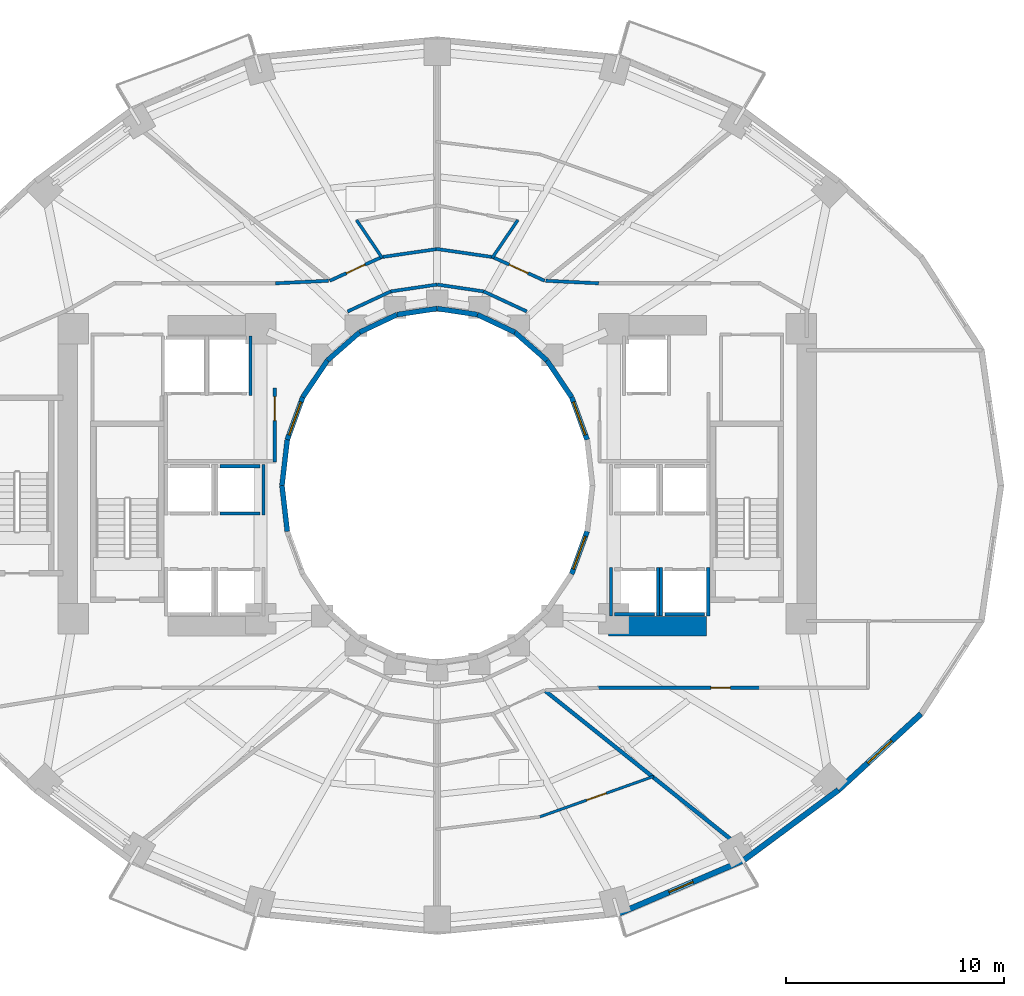
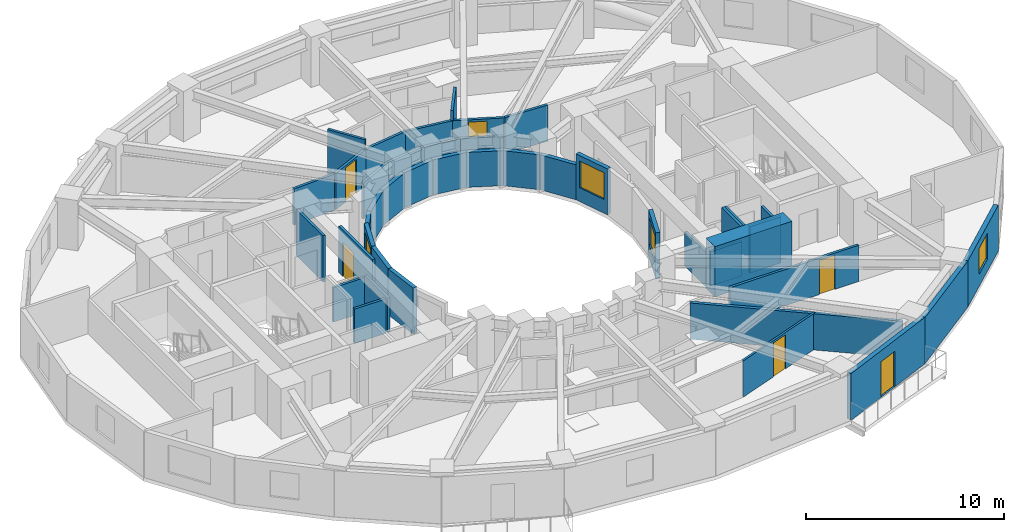
# One storey, part 5 of 10: 43 walls, 6 doors, 4 windows, 10 openings.
"""IFC4 building model written with IfcOpenShell, lengths in metres."""

from ifc_helpers import new_model, si_unit, direction, frame, frame_2d, origin, place, context, subcontext, project, spatial, rectangle, extrude, material, layer, layer_set, type_object, element, fill, save


model = new_model("IFC4")

# Units and contexts
model_context = context("Model", 3, precision=1e-05, world=origin(), true_north=direction((0.0, 1.0)))
body_context = subcontext(model_context, "Body", "Model", "MODEL_VIEW")
ifc_project = project(units=[si_unit("LENGTHUNIT", "METRE"), si_unit("AREAUNIT", "SQUARE_METRE"), si_unit("VOLUMEUNIT", "CUBIC_METRE"), si_unit("PLANEANGLEUNIT", "RADIAN"), si_unit("MASSUNIT", "GRAM", prefix="KILO")], contexts=[model_context])

# Site, building, storey
site_placement = place(None, origin())
site = spatial("IfcSite", under=ifc_project, at=site_placement, CompositionType="ELEMENT")
building_placement = place(site_placement, origin())
building = spatial("IfcBuilding", under=site, at=building_placement, Name="Solvane Sanctuary Tower", CompositionType="ELEMENT")
storey_placement = place(building_placement, frame((0.0, 0.0, 30.699951171875)))
storey = spatial("IfcBuildingStorey", under=building, at=storey_placement, Name="L08", CompositionType="ELEMENT", Elevation=30.699951171875)

# Wall
ifc_material_1 = material(Name="Concrete C70/85", Category="concrete")
ifc_layer_1 = layer(ifc_material_1, 0.89990234375, Name="Concrete C70/85")
ifc_layer_set_1 = layer_set([ifc_layer_1], Name="Concrete C70/85")
wall_type_1 = type_object("IfcWallType", Name="Wall W-CORE-900", PredefinedType="SHEAR", material=ifc_layer_set_1)
wall_1_placement = place(storey_placement, frame((39.85009765625, 16.550048828125, 0.0), z_axis=(0.0, 0.0, 1.0), x_axis=(1.0, 0.0, 0.0)))
element("IfcWall", 1, at=wall_1_placement, inside=storey, type_object=wall_type_1, Name="L08 Core Shear Wall EC-S", PredefinedType="SHEAR", context=body_context, shape_type="SweptSolid", body=[
    extrude(rectangle(XDim=4.5, YDim=0.89990234375, at=frame_2d((2.25, 0.0))), origin(), (0.0, 0.0, 1.0), 3.10009765625),
])

# Wall, opening, door
ifc_material_2 = material(Name="Acoustic Gypsum Partition Board")
ifc_layer_2 = layer(ifc_material_2, 0.14990234375, Name="Acoustic Gypsum Partition Board")
ifc_layer_set_2 = layer_set([ifc_layer_2], Name="Acoustic Gypsum Partition Board")
wall_type_2 = type_object("IfcWallType", Name="Wall W-CORR-150", PredefinedType="PARTITIONING", material=ifc_layer_set_2)
wall_2_placement = place(storey_placement, frame((24.550048828125, 24.080078125, 0.0), z_axis=(0.0, 0.0, 1.0), x_axis=(0.0, 1.0, 0.0)))
wall_2 = element("IfcWall", 2, at=wall_2_placement, inside=storey, type_object=wall_type_2, Name="L08 West Firefighting Lobby East Wall", PredefinedType="PARTITIONING", context=body_context, shape_type="SweptSolid", body=[
    extrude(rectangle(XDim=3.39990234375, YDim=0.14990234375, at=frame_2d((1.699951171875, 0.0))), origin(), (0.0, 0.0, 1.0), 2.85498046875),
])
opening_1_placement = place(wall_2_placement, frame((1.893798828125, 0.0, 0.0)))
opening_1 = element("IfcOpeningElement", 3, at=opening_1_placement, cuts=wall_2, Name="Opening D-L08-08", PredefinedType="OPENING", context=body_context, shape_type="SweptSolid", body=[
    extrude(rectangle(XDim=1.10009765625, YDim=2.10009765625, at=frame_2d((0.550048828125, 1.050048828125))), frame((0.0, 0.0849609375, 0.0), z_axis=(0.0, -1.0, 0.0), x_axis=(1.0, 0.0, 0.0)), (0.0, 0.0, 1.0), 0.169921875),
])
ifc_material_3 = material(Name="Architectural Stainless Steel 316", Category="steel")
door_type_1 = type_object("IfcDoorType", Name="Door D-FFL", OperationType="NOTDEFINED", PredefinedType="DOOR", material=ifc_material_3)
door_1_placement = place(opening_1_placement, origin())
door_1 = element("IfcDoor", 4, at=door_1_placement, inside=storey, type_object=door_type_1, Name="L08 West Firefighting Lobby Fire Door", OperationType="SINGLE_SWING_RIGHT", OverallHeight=2.10009765625, OverallWidth=1.10009765625, PredefinedType="DOOR", context=body_context, shape_type="SweptSolid", body=[
    extrude(rectangle(XDim=1.10009765625, YDim=2.10009765625, at=frame_2d((0.550048828125, 1.050048828125))), frame((0.0, 0.02490234375, 0.0), z_axis=(0.0, -1.0, 0.0), x_axis=(1.0, 0.0, 0.0)), (0.0, 0.0, 1.0), 0.050048828125),
])
fill(opening_1, door_1)

# Walls
wall_3_placement = place(storey_placement, frame((36.110107421875, 30.98486328125, 0.0), z_axis=(0.0, 0.0, 1.0), x_axis=(-0.906943449489, 0.421252393975, 0.0)))
element("IfcWall", 5, at=wall_3_placement, inside=storey, type_object=wall_type_2, Name="L08 Light-Well Corridor Rim Wall N1", PredefinedType="PARTITIONING", context=body_context, shape_type="SweptSolid", body=[
    extrude(rectangle(XDim=2.18603515625, YDim=0.14990234375, at=frame_2d((1.093017578125, 0.0))), origin(), (0.0, 0.0, 1.0), 2.237060546875),
])
for number, where, z_axis, x_axis, name in (
    (6, (34.12744140625, 31.90576171875, 0.0), (0.0, 0.0, 1.0), (-0.989268584896, 0.146108408166, 0.0), "L08 Light-Well Corridor Rim Wall N2"),
    (7, (32.0, 32.219970703125, 0.0), (0.0, 0.0, 1.0), (-0.989268584896, -0.146108408166, 0.0), "L08 Light-Well Corridor Rim Wall N3"),
):
    element("IfcWall", number, at=place(storey_placement, frame(where, z_axis=z_axis, x_axis=x_axis)), inside=storey, type_object=wall_type_2, Name=name, PredefinedType="PARTITIONING", context=body_context, shape_type="SweptSolid", body=[
        extrude(rectangle(XDim=2.150634765625, YDim=0.14990234375, at=frame_2d((1.0751953125, 0.0))), origin(), (0.0, 0.0, 1.0), 2.237060546875),
    ])
wall_4_placement = place(storey_placement, frame((29.87255859375, 31.90576171875, 0.0), z_axis=(0.0, 0.0, 1.0), x_axis=(-0.906943449489, -0.421252393975, 0.0)))
element("IfcWall", 8, at=wall_4_placement, inside=storey, type_object=wall_type_2, Name="L08 Light-Well Corridor Rim Wall N4", PredefinedType="PARTITIONING", context=body_context, shape_type="SweptSolid", body=[
    extrude(rectangle(XDim=2.18603515625, YDim=0.14990234375, at=frame_2d((1.093017578125, 0.0))), origin(), (0.0, 0.0, 1.0), 2.237060546875),
])
for number, where, z_axis, x_axis, name in (
    (9, (36.97998046875, 32.393798828125, 0.0), (0.0, 0.0, 1.0), (0.998877427952, -0.047369651964, 0.0), "L08 NE Corner Throat Wall"),
    (10, (27.02001953125, 32.393798828125, 0.0), (0.0, 0.0, 1.0), (-0.998877427952, -0.047369651964, 0.0), "L08 NW Corner Throat Wall"),
):
    element("IfcWall", number, at=place(storey_placement, frame(where, z_axis=z_axis, x_axis=x_axis)), inside=storey, type_object=wall_type_2, Name=name, PredefinedType="PARTITIONING", context=body_context, shape_type="SweptSolid", body=[
        extrude(rectangle(XDim=2.4326171875, YDim=0.14990234375, at=frame_2d((1.21630859375, 0.0))), origin(), (0.0, 0.0, 1.0), 2.237060546875),
    ])

# Wall, opening, door
wall_5_placement = place(storey_placement, frame((39.330078125, 13.719970703125, 0.0), z_axis=(0.0, 0.0, 1.0), x_axis=(1.0, 0.0, 0.0)))
wall_5 = element("IfcWall", 11, at=wall_5_placement, inside=storey, type_object=wall_type_2, Name="L08 SE Corner Corridor Wall", PredefinedType="PARTITIONING", context=body_context, shape_type="SweptSolid", body=[
    extrude(rectangle(XDim=7.52001953125, YDim=0.14990234375, at=frame_2d((3.760009765625, 0.0))), origin(), (0.0, 0.0, 1.0), 2.237060546875),
])
opening_2_placement = place(wall_5_placement, frame((5.219970703125, 0.0, 0.0)))
opening_2 = element("IfcOpeningElement", 12, at=opening_2_placement, cuts=wall_5, Name="Opening D-L08-17", PredefinedType="OPENING", context=body_context, shape_type="SweptSolid", body=[
    extrude(rectangle(XDim=0.89990234375, YDim=2.10009765625, at=frame_2d((0.449951171875, 1.050048828125))), frame((0.0, 0.0849609375, 0.0), z_axis=(0.0, -1.0, 0.0), x_axis=(1.0, 0.0, 0.0)), (0.0, 0.0, 1.0), 0.169921875),
])
ifc_material_4 = material(Name="Engineered Tropical Hardwood", Category="wood")
door_type_2 = type_object("IfcDoorType", Name="Door D-WET-900", OperationType="NOTDEFINED", PredefinedType="DOOR", material=ifc_material_4)
door_2_placement = place(opening_2_placement, origin())
door_2 = element("IfcDoor", 13, at=door_2_placement, inside=storey, type_object=door_type_2, Name="L08 SE Corner Salon Door", OperationType="SINGLE_SWING_LEFT", OverallHeight=2.10009765625, OverallWidth=0.89990234375, PredefinedType="DOOR", context=body_context, shape_type="SweptSolid", body=[
    extrude(rectangle(XDim=0.89990234375, YDim=2.10009765625, at=frame_2d((0.449951171875, 1.050048828125))), frame((0.0, 0.02490234375, 0.0), z_axis=(0.0, -1.0, 0.0), x_axis=(1.0, 0.0, 0.0)), (0.0, 0.0, 1.0), 0.050048828125),
])
fill(opening_2, door_2)

# Wall
wall_6_placement = place(storey_placement, frame((34.598876953125, 33.47314453125, 0.0), z_axis=(0.0, 0.0, 1.0), x_axis=(-0.989649898776, 0.143502884474, 0.0)))
element("IfcWall", 14, at=wall_6_placement, inside=storey, type_object=wall_type_2, Name="L08 En-suite Inner Wall N1", PredefinedType="PARTITIONING", context=body_context, shape_type="SweptSolid", body=[
    extrude(rectangle(XDim=2.676025390625, YDim=0.14990234375, at=frame_2d((1.337890625, 0.0))), origin(), (0.0, 0.0, 1.0), 2.237060546875),
])

# Wall, opening, door
wall_7_placement = place(storey_placement, frame((36.930908203125, 32.392578125, 0.0), z_axis=(0.0, 0.0, 1.0), x_axis=(-0.909747571199, 0.415161843982, 0.0)))
wall_7 = element("IfcWall", 15, at=wall_7_placement, inside=storey, type_object=wall_type_2, Name="L08 Unit Corridor Wall N1", PredefinedType="PARTITIONING", context=body_context, shape_type="SweptSolid", body=[
    extrude(rectangle(XDim=2.625, YDim=0.14990234375, at=frame_2d((1.3125, 0.0))), origin(), (0.0, 0.0, 1.0), 2.237060546875),
])
opening_3_placement = place(wall_7_placement, frame((0.837646484375, 0.0, 0.0)))
opening_3 = element("IfcOpeningElement", 16, at=opening_3_placement, cuts=wall_7, Name="Opening D-L08-20", PredefinedType="OPENING", context=body_context, shape_type="SweptSolid", body=[
    extrude(rectangle(XDim=0.949951171875, YDim=2.10009765625, at=frame_2d((0.47509765625, 1.050048828125))), frame((0.0, 0.0849609375, 0.0), z_axis=(0.0, -1.0, 0.0), x_axis=(1.0, 0.0, 0.0)), (0.0, 0.0, 1.0), 0.169921875),
])
door_type_3 = type_object("IfcDoorType", Name="Door D-ROOM-950", OperationType="NOTDEFINED", PredefinedType="DOOR", material=ifc_material_4)
door_3_placement = place(opening_3_placement, origin())
door_3 = element("IfcDoor", 17, at=door_3_placement, inside=storey, type_object=door_type_3, Name="L08 Unit Entrance Door N1", OperationType="SINGLE_SWING_RIGHT", OverallHeight=2.10009765625, OverallWidth=0.949951171875, PredefinedType="DOOR", context=body_context, shape_type="SweptSolid", body=[
    extrude(rectangle(XDim=0.949951171875, YDim=2.10009765625, at=frame_2d((0.47509765625, 1.050048828125))), frame((0.0, 0.02490234375, 0.0), z_axis=(0.0, -1.0, 0.0), x_axis=(1.0, 0.0, 0.0)), (0.0, 0.0, 1.0), 0.050048828125),
])
fill(opening_3, door_3)

# Wall
wall_8_placement = place(storey_placement, frame((32.049560546875, 33.857177734375, 0.0), z_axis=(0.0, 0.0, 1.0), x_axis=(-0.989649898776, -0.143502884474, 0.0)))
element("IfcWall", 18, at=wall_8_placement, inside=storey, type_object=wall_type_2, Name="L08 En-suite Inner Wall N2", PredefinedType="PARTITIONING", context=body_context, shape_type="SweptSolid", body=[
    extrude(rectangle(XDim=2.676025390625, YDim=0.14990234375, at=frame_2d((1.337890625, 0.0))), origin(), (0.0, 0.0, 1.0), 2.237060546875),
])

# Wall, opening, door
wall_9_placement = place(storey_placement, frame((29.457275390625, 33.482421875, 0.0), z_axis=(0.0, 0.0, 1.0), x_axis=(-0.909747571199, -0.415161843982, 0.0)))
wall_9 = element("IfcWall", 19, at=wall_9_placement, inside=storey, type_object=wall_type_2, Name="L08 Unit Corridor Wall N2", PredefinedType="PARTITIONING", context=body_context, shape_type="SweptSolid", body=[
    extrude(rectangle(XDim=2.625, YDim=0.14990234375, at=frame_2d((1.3125, 0.0))), origin(), (0.0, 0.0, 1.0), 2.237060546875),
])
opening_4_placement = place(wall_9_placement, frame((0.837646484375, 0.0, 0.0)))
opening_4 = element("IfcOpeningElement", 20, at=opening_4_placement, cuts=wall_9, Name="Opening D-L08-22", PredefinedType="OPENING", context=body_context, shape_type="SweptSolid", body=[
    extrude(rectangle(XDim=0.949951171875, YDim=2.10009765625, at=frame_2d((0.47509765625, 1.050048828125))), frame((0.0, 0.0849609375, 0.0), z_axis=(0.0, -1.0, 0.0), x_axis=(1.0, 0.0, 0.0)), (0.0, 0.0, 1.0), 0.169921875),
])
door_4_placement = place(opening_4_placement, origin())
door_4 = element("IfcDoor", 21, at=door_4_placement, inside=storey, type_object=door_type_3, Name="L08 Unit Entrance Door N2", OperationType="SINGLE_SWING_RIGHT", OverallHeight=2.10009765625, OverallWidth=0.949951171875, PredefinedType="DOOR", context=body_context, shape_type="SweptSolid", body=[
    extrude(rectangle(XDim=0.949951171875, YDim=2.10009765625, at=frame_2d((0.47509765625, 1.050048828125))), frame((0.0, 0.02490234375, 0.0), z_axis=(0.0, -1.0, 0.0), x_axis=(1.0, 0.0, 0.0)), (0.0, 0.0, 1.0), 0.050048828125),
])
fill(opening_4, door_4)

ifc_material_5 = material(Name="Precast concrete C40/50", Category="concrete")
ifc_layer_3 = layer(ifc_material_5, 0.260009765625, Name="Precast concrete C40/50")
ifc_layer_set_3 = layer_set([ifc_layer_3], Name="Precast concrete C40/50")
wall_type_3 = type_object("IfcWallType", Name="Wall W-EXT-250", PredefinedType="STANDARD", material=ifc_layer_set_3)
wall_10_placement = place(storey_placement, frame((40.331787109375, 3.36376953125, 0.0), z_axis=(0.0, 0.0, 1.0), x_axis=(0.919612132394, 0.39282760335, 0.0)))
wall_10 = element("IfcWall", 22, at=wall_10_placement, inside=storey, type_object=wall_type_3, Name="L08 Balcony Facade Wall S2", PredefinedType="STANDARD", context=body_context, shape_type="SweptSolid", body=[
    extrude(rectangle(XDim=6.20947265625, YDim=0.260009765625, at=frame_2d((3.104736328125, 0.0))), origin(), (0.0, 0.0, 1.0), 2.880126953125),
])
opening_5_placement = place(wall_10_placement, frame((2.5048828125, 0.0, 0.0)))
opening_5 = element("IfcOpeningElement", 23, at=opening_5_placement, cuts=wall_10, Name="Opening D-L08-04", PredefinedType="OPENING", context=body_context, shape_type="SweptSolid", body=[
    extrude(rectangle(XDim=1.199951171875, YDim=2.199951171875, at=frame_2d((0.60009765625, 1.10009765625))), frame((0.0, 0.139892578125, 0.0), z_axis=(0.0, -1.0, 0.0), x_axis=(1.0, 0.0, 0.0)), (0.0, 0.0, 1.0), 0.280029296875),
])
ifc_material_6 = material(Name="Anodised Aluminium 6063-T6", Category="aluminium")
door_type_4 = type_object("IfcDoorType", Name="Door D-BALC-1200", OperationType="NOTDEFINED", PredefinedType="DOOR", material=ifc_material_6)
door_5_placement = place(opening_5_placement, origin())
door_5 = element("IfcDoor", 24, at=door_5_placement, inside=storey, type_object=door_type_4, Name="L08 Glazed Balcony Door S2", OperationType="SINGLE_SWING_LEFT", OverallHeight=2.199951171875, OverallWidth=1.199951171875, PredefinedType="DOOR", context=body_context, shape_type="SweptSolid", body=[
    extrude(rectangle(XDim=1.199951171875, YDim=2.199951171875, at=frame_2d((0.60009765625, 1.10009765625))), frame((0.0, 0.02490234375, 0.0), z_axis=(0.0, -1.0, 0.0), x_axis=(1.0, 0.0, 0.0)), (0.0, 0.0, 1.0), 0.050048828125),
])
fill(opening_5, door_5)

# Wall
wall_11_placement = place(storey_placement, frame((46.0419921875, 5.802978515625, 0.0), z_axis=(0.0, 0.0, 1.0), x_axis=(0.803477531792, 0.595335078679, 0.0)))
element("IfcWall", 25, at=wall_11_placement, inside=storey, type_object=wall_type_3, Name="L08 Ceramic-Printed Facade Wall 20", PredefinedType="STANDARD", context=body_context, shape_type="SweptSolid", body=[
    extrude(rectangle(XDim=5.4296875, YDim=0.260009765625, at=frame_2d((2.71484375, 0.0))), origin(), (0.0, 0.0, 1.0), 2.85009765625),
])

# Wall, opening, window
wall_12_placement = place(storey_placement, frame((50.404541015625, 9.035400390625, 0.0), z_axis=(0.0, 0.0, 1.0), x_axis=(0.735655109293, 0.67735630223, 0.0)))
wall_12 = element("IfcWall", 26, at=wall_12_placement, inside=storey, type_object=wall_type_3, Name="L08 Ceramic-Printed Facade Wall 21", PredefinedType="STANDARD", context=body_context, shape_type="SweptSolid", body=[
    extrude(rectangle(XDim=5.15087890625, YDim=0.260009765625, at=frame_2d((2.575439453125, 0.0))), origin(), (0.0, 0.0, 1.0), 2.85009765625),
])
opening_6_placement = place(wall_12_placement, frame((1.825439453125, 0.0, 0.75)))
opening_6 = element("IfcOpeningElement", 27, at=opening_6_placement, cuts=wall_12, Name="Opening WN-OPER-1500", PredefinedType="OPENING", context=body_context, shape_type="SweptSolid", body=[
    extrude(rectangle(XDim=1.5, YDim=1.60009765625, at=frame_2d((0.75, 0.800048828125))), frame((0.0, 0.139892578125, 0.0), z_axis=(0.0, -1.0, 0.0), x_axis=(1.0, 0.0, 0.0)), (0.0, 0.0, 1.0), 0.280029296875),
])
ifc_material_7 = material(Name="Dark Ceramic-Fritted Low-E Glass", Category="glass")
window_type_1 = type_object("IfcWindowType", Name="Window WN-OPER-1500", PartitioningType="SINGLE_PANEL", PredefinedType="WINDOW", material=ifc_material_7)
window_1_placement = place(opening_6_placement, origin())
window_1 = element("IfcWindow", 28, at=window_1_placement, inside=storey, type_object=window_type_1, Name="L08 Operable Facade Window 21", OverallHeight=1.60009765625, OverallWidth=1.5, PartitioningType="SINGLE_PANEL", PredefinedType="WINDOW", context=body_context, shape_type="SweptSolid", body=[
    extrude(rectangle(XDim=1.5, YDim=1.60009765625, at=frame_2d((0.75, 0.800048828125))), frame((0.0, 0.030029296875, 0.0), z_axis=(0.0, -1.0, 0.0), x_axis=(1.0, 0.0, 0.0)), (0.0, 0.0, 1.0), 0.06005859375),
])
fill(opening_6, window_1)

ifc_layer_4 = layer(ifc_material_5, 0.22998046875, Name="Precast concrete C40/50")
ifc_layer_set_4 = layer_set([ifc_layer_4], Name="Precast concrete C40/50")
wall_type_4 = type_object("IfcWallType", Name="Wall W-EXT-SP220", PredefinedType="STANDARD", material=ifc_layer_set_4)
wall_13_placement = place(storey_placement, frame((38.87744140625, 25.1015625, 0.0), z_axis=(0.0, 0.0, 1.0), x_axis=(-0.341423187295, 0.93990968033, 0.0)))
wall_13 = element("IfcWall", 29, at=wall_13_placement, inside=storey, type_object=wall_type_4, Name="L08 Central Light-Well Wall 01", PredefinedType="STANDARD", context=body_context, shape_type="SweptSolid", body=[
    extrude(rectangle(XDim=2.083740234375, YDim=0.22998046875, at=frame_2d((1.0419921875, 0.0))), origin(), (0.0, 0.0, 1.0), 2.840087890625),
])
opening_7_placement = place(wall_13_placement, frame((0.24169921875, 0.0, 0.85009765625)))
opening_7 = element("IfcOpeningElement", 30, at=opening_7_placement, cuts=wall_13, Name="Opening WN-WELL-1600", PredefinedType="OPENING", context=body_context, shape_type="SweptSolid", body=[
    extrude(rectangle(XDim=1.60009765625, YDim=1.64990234375, at=frame_2d((0.800048828125, 0.824951171875))), frame((0.0, 0.125, 0.0), z_axis=(0.0, -1.0, 0.0), x_axis=(1.0, 0.0, 0.0)), (0.0, 0.0, 1.0), 0.25),
])
ifc_material_8 = material(Name="Clear Laminated Light-Well Glass", Category="glass")
window_type_2 = type_object("IfcWindowType", Name="Window WN-WELL-1600", PartitioningType="SINGLE_PANEL", PredefinedType="WINDOW", material=ifc_material_8)
window_2_placement = place(opening_7_placement, origin())
window_2 = element("IfcWindow", 31, at=window_2_placement, inside=storey, type_object=window_type_2, Name="L08 Light-Well Daylight Window 01", OverallHeight=1.64990234375, OverallWidth=1.60009765625, PartitioningType="SINGLE_PANEL", PredefinedType="WINDOW", context=body_context, shape_type="SweptSolid", body=[
    extrude(rectangle(XDim=1.60009765625, YDim=1.64990234375, at=frame_2d((0.800048828125, 0.824951171875))), frame((0.0, 0.030029296875, 0.0), z_axis=(0.0, -1.0, 0.0), x_axis=(1.0, 0.0, 0.0)), (0.0, 0.0, 1.0), 0.06005859375),
])
fill(opening_7, window_2)

# Walls
wall_14_placement = place(storey_placement, frame((38.166015625, 27.06005859375, 0.0), z_axis=(0.0, 0.0, 1.0), x_axis=(-0.558197800898, 0.829707909492, 0.0)))
element("IfcWall", 32, at=wall_14_placement, inside=storey, type_object=wall_type_4, Name="L08 Central Light-Well Wall 02", PredefinedType="STANDARD", context=body_context, shape_type="SweptSolid", body=[
    extrude(rectangle(XDim=2.02685546875, YDim=0.22998046875, at=frame_2d((1.013427734375, 0.0))), origin(), (0.0, 0.0, 1.0), 2.16015625),
])
wall_15_placement = place(storey_placement, frame((37.03466796875, 28.74169921875, 0.0), z_axis=(0.0, 0.0, 1.0), x_axis=(-0.752576694707, 0.658504607869, 0.0)))
element("IfcWall", 33, at=wall_15_placement, inside=storey, type_object=wall_type_4, Name="L08 Central Light-Well Wall 03", PredefinedType="STANDARD", context=body_context, shape_type="SweptSolid", body=[
    extrude(rectangle(XDim=1.95947265625, YDim=0.22998046875, at=frame_2d((0.979736328125, 0.0))), origin(), (0.0, 0.0, 1.0), 2.16015625),
])
wall_16_placement = place(storey_placement, frame((35.56005859375, 30.031982421875, 0.0), z_axis=(0.0, 0.0, 1.0), x_axis=(-0.904179699603, 0.427152280606, 0.0)))
element("IfcWall", 34, at=wall_16_placement, inside=storey, type_object=wall_type_4, Name="L08 Central Light-Well Wall 04", PredefinedType="STANDARD", context=body_context, shape_type="SweptSolid", body=[
    extrude(rectangle(XDim=1.899169921875, YDim=0.22998046875, at=frame_2d((0.94970703125, 0.0))), origin(), (0.0, 0.0, 1.0), 2.16015625),
])
for number, where, z_axis, x_axis, name in (
    (35, (33.8427734375, 30.84326171875, 0.0), (0.0, 0.0, 1.0), (-0.988901730308, 0.148571086668, 0.0), "L08 Central Light-Well Wall 05"),
    (36, (32.0, 31.1201171875, 0.0), (0.0, 0.0, 1.0), (-0.988901730308, -0.148571086668, 0.0), "L08 Central Light-Well Wall 06"),
):
    element("IfcWall", number, at=place(storey_placement, frame(where, z_axis=z_axis, x_axis=x_axis)), inside=storey, type_object=wall_type_4, Name=name, PredefinedType="STANDARD", context=body_context, shape_type="SweptSolid", body=[
        extrude(rectangle(XDim=1.863525390625, YDim=0.22998046875, at=frame_2d((0.931640625, 0.0))), origin(), (0.0, 0.0, 1.0), 2.16015625),
    ])
wall_17_placement = place(storey_placement, frame((30.1572265625, 30.84326171875, 0.0), z_axis=(0.0, 0.0, 1.0), x_axis=(-0.904179699603, -0.427152280606, 0.0)))
element("IfcWall", 37, at=wall_17_placement, inside=storey, type_object=wall_type_4, Name="L08 Central Light-Well Wall 07", PredefinedType="STANDARD", context=body_context, shape_type="SweptSolid", body=[
    extrude(rectangle(XDim=1.899169921875, YDim=0.22998046875, at=frame_2d((0.94970703125, 0.0))), origin(), (0.0, 0.0, 1.0), 2.16015625),
])
wall_18_placement = place(storey_placement, frame((28.43994140625, 30.031982421875, 0.0), z_axis=(0.0, 0.0, 1.0), x_axis=(-0.752576694707, -0.658504607869, 0.0)))
element("IfcWall", 38, at=wall_18_placement, inside=storey, type_object=wall_type_4, Name="L08 Central Light-Well Wall 08", PredefinedType="STANDARD", context=body_context, shape_type="SweptSolid", body=[
    extrude(rectangle(XDim=1.95947265625, YDim=0.22998046875, at=frame_2d((0.979736328125, 0.0))), origin(), (0.0, 0.0, 1.0), 2.16015625),
])
wall_19_placement = place(storey_placement, frame((26.96533203125, 28.74169921875, 0.0), z_axis=(0.0, 0.0, 1.0), x_axis=(-0.558197800898, -0.829707909492, 0.0)))
element("IfcWall", 39, at=wall_19_placement, inside=storey, type_object=wall_type_4, Name="L08 Central Light-Well Wall 09", PredefinedType="STANDARD", context=body_context, shape_type="SweptSolid", body=[
    extrude(rectangle(XDim=2.02685546875, YDim=0.22998046875, at=frame_2d((1.013427734375, 0.0))), origin(), (0.0, 0.0, 1.0), 2.16015625),
])

# Wall, opening, window
wall_20_placement = place(storey_placement, frame((25.833984375, 27.06005859375, 0.0), z_axis=(0.0, 0.0, 1.0), x_axis=(-0.341423187295, -0.93990968033, 0.0)))
wall_20 = element("IfcWall", 40, at=wall_20_placement, inside=storey, type_object=wall_type_4, Name="L08 Central Light-Well Wall 10", PredefinedType="STANDARD", context=body_context, shape_type="SweptSolid", body=[
    extrude(rectangle(XDim=2.083740234375, YDim=0.22998046875, at=frame_2d((1.0419921875, 0.0))), origin(), (0.0, 0.0, 1.0), 2.840087890625),
])
opening_8_placement = place(wall_20_placement, frame((0.24169921875, 0.0, 0.85009765625)))
opening_8 = element("IfcOpeningElement", 41, at=opening_8_placement, cuts=wall_20, Name="Opening WN-WELL-1600", PredefinedType="OPENING", context=body_context, shape_type="SweptSolid", body=[
    extrude(rectangle(XDim=1.60009765625, YDim=1.64990234375, at=frame_2d((0.800048828125, 0.824951171875))), frame((0.0, 0.125, 0.0), z_axis=(0.0, -1.0, 0.0), x_axis=(1.0, 0.0, 0.0)), (0.0, 0.0, 1.0), 0.25),
])
window_3_placement = place(opening_8_placement, origin())
window_3 = element("IfcWindow", 42, at=window_3_placement, inside=storey, type_object=window_type_2, Name="L08 Light-Well Daylight Window 10", OverallHeight=1.64990234375, OverallWidth=1.60009765625, PartitioningType="SINGLE_PANEL", PredefinedType="WINDOW", context=body_context, shape_type="SweptSolid", body=[
    extrude(rectangle(XDim=1.60009765625, YDim=1.64990234375, at=frame_2d((0.800048828125, 0.824951171875))), frame((0.0, 0.030029296875, 0.0), z_axis=(0.0, -1.0, 0.0), x_axis=(1.0, 0.0, 0.0)), (0.0, 0.0, 1.0), 0.06005859375),
])
fill(opening_8, window_3)

# Walls
for number, where, z_axis, x_axis, name in (
    (43, (25.12255859375, 25.1015625, 0.0), (0.0, 0.0, 1.0), (-0.114711713601, -0.993398823617, 0.0), "L08 Central Light-Well Wall 11"),
    (44, (24.8798828125, 23.0, 0.0), (0.0, 0.0, 1.0), (0.114711713601, -0.993398823617, 0.0), "L08 Central Light-Well Wall 12"),
):
    element("IfcWall", number, at=place(storey_placement, frame(where, z_axis=z_axis, x_axis=x_axis)), inside=storey, type_object=wall_type_4, Name=name, PredefinedType="STANDARD", context=body_context, shape_type="SweptSolid", body=[
        extrude(rectangle(XDim=2.115478515625, YDim=0.22998046875, at=frame_2d((1.0576171875, 0.0))), origin(), (0.0, 0.0, 1.0), 2.840087890625),
    ])

# Wall, opening, window
wall_21_placement = place(storey_placement, frame((38.166015625, 18.93994140625, 0.0), z_axis=(0.0, 0.0, 1.0), x_axis=(0.341423187295, 0.93990968033, 0.0)))
wall_21 = element("IfcWall", 45, at=wall_21_placement, inside=storey, type_object=wall_type_4, Name="L08 Central Light-Well Wall 22", PredefinedType="STANDARD", context=body_context, shape_type="SweptSolid", body=[
    extrude(rectangle(XDim=2.083740234375, YDim=0.22998046875, at=frame_2d((1.0419921875, 0.0))), origin(), (0.0, 0.0, 1.0), 2.840087890625),
])
opening_9_placement = place(wall_21_placement, frame((0.24169921875, 0.0, 0.85009765625)))
opening_9 = element("IfcOpeningElement", 46, at=opening_9_placement, cuts=wall_21, Name="Opening WN-WELL-1600", PredefinedType="OPENING", context=body_context, shape_type="SweptSolid", body=[
    extrude(rectangle(XDim=1.60009765625, YDim=1.64990234375, at=frame_2d((0.800048828125, 0.824951171875))), frame((0.0, 0.125, 0.0), z_axis=(0.0, -1.0, 0.0), x_axis=(1.0, 0.0, 0.0)), (0.0, 0.0, 1.0), 0.25),
])
window_4_placement = place(opening_9_placement, origin())
window_4 = element("IfcWindow", 47, at=window_4_placement, inside=storey, type_object=window_type_2, Name="L08 Light-Well Daylight Window 22", OverallHeight=1.64990234375, OverallWidth=1.60009765625, PartitioningType="SINGLE_PANEL", PredefinedType="WINDOW", context=body_context, shape_type="SweptSolid", body=[
    extrude(rectangle(XDim=1.60009765625, YDim=1.64990234375, at=frame_2d((0.800048828125, 0.824951171875))), frame((0.0, 0.030029296875, 0.0), z_axis=(0.0, -1.0, 0.0), x_axis=(1.0, 0.0, 0.0)), (0.0, 0.0, 1.0), 0.06005859375),
])
fill(opening_9, window_4)

# Wall, opening, door
ifc_layer_5 = layer(ifc_material_2, 0.1201171875, Name="Acoustic Gypsum Partition Board")
ifc_layer_set_5 = layer_set([ifc_layer_5], Name="Acoustic Gypsum Partition Board")
wall_type_5 = type_object("IfcWallType", Name="Wall W-MOV-100", PredefinedType="MOVABLE", material=ifc_layer_set_5)
wall_22_placement = place(storey_placement, frame((36.689208984375, 7.79833984375, 0.0), z_axis=(0.0, 0.0, 1.0), x_axis=(0.942369240096, 0.334574678243, 0.0)))
wall_22 = element("IfcWall", 48, at=wall_22_placement, inside=storey, type_object=wall_type_5, Name="L08 Suite Sitting Lounge Partition S2", PredefinedType="MOVABLE", context=body_context, shape_type="SweptSolid", body=[
    extrude(rectangle(XDim=5.558837890625, YDim=0.1201171875, at=frame_2d((2.779296875, 0.0))), origin(), (0.0, 0.0, 1.0), 2.237060546875),
])
opening_10_placement = place(wall_22_placement, frame((2.304443359375, 0.0, 0.0)))
opening_10 = element("IfcOpeningElement", 49, at=opening_10_placement, cuts=wall_22, Name="Opening D-L08-25", PredefinedType="OPENING", context=body_context, shape_type="SweptSolid", body=[
    extrude(rectangle(XDim=0.949951171875, YDim=2.10009765625, at=frame_2d((0.47509765625, 1.050048828125))), frame((0.0, 0.070068359375, 0.0), z_axis=(0.0, -1.0, 0.0), x_axis=(1.0, 0.0, 0.0)), (0.0, 0.0, 1.0), 0.14013671875),
])
door_6_placement = place(opening_10_placement, origin())
door_6 = element("IfcDoor", 50, at=door_6_placement, inside=storey, type_object=door_type_3, Name="L08 Suite Sitting Lounge Door S2", OperationType="SINGLE_SWING_LEFT", OverallHeight=2.10009765625, OverallWidth=0.949951171875, PredefinedType="DOOR", context=body_context, shape_type="SweptSolid", body=[
    extrude(rectangle(XDim=0.949951171875, YDim=2.10009765625, at=frame_2d((0.47509765625, 1.050048828125))), frame((0.0, 0.02490234375, 0.0), z_axis=(0.0, -1.0, 0.0), x_axis=(1.0, 0.0, 0.0)), (0.0, 0.0, 1.0), 0.050048828125),
])
fill(opening_10, door_6)

# Walls
ifc_material_9 = material(Name="Concrete C50/60", Category="concrete")
ifc_layer_6 = layer(ifc_material_9, 0.14990234375, Name="Concrete C50/60")
ifc_layer_set_6 = layer_set([ifc_layer_6], Name="Concrete C50/60")
wall_type_6 = type_object("IfcWallType", Name="Wall W-SHAFT-150", PredefinedType="SOLIDWALL", material=ifc_layer_set_6)
wall_23_placement = place(storey_placement, frame((40.139892578125, 17.10009765625, 0.0), z_axis=(0.0, 0.0, 1.0), x_axis=(1.0, 0.0, 0.0)))
element("IfcWall", 51, at=wall_23_placement, inside=storey, type_object=wall_type_6, Name="L08 PL-3 Lift Shaft Wall B", PredefinedType="SOLIDWALL", context=body_context, shape_type="SweptSolid", body=[
    extrude(rectangle(XDim=1.820068359375, YDim=0.14990234375, at=frame_2d((0.91015625, 0.0))), origin(), (0.0, 0.0, 1.0), 2.1201171875),
])
wall_24_placement = place(storey_placement, frame((39.969970703125, 17.02001953125, 0.0), z_axis=(0.0, 0.0, 1.0), x_axis=(0.0, 1.0, 0.0)))
element("IfcWall", 52, at=wall_24_placement, inside=storey, type_object=wall_type_6, Name="L08 PL-3 Lift Shaft Wall S1", PredefinedType="SOLIDWALL", context=body_context, shape_type="SweptSolid", body=[
    extrude(rectangle(XDim=2.219970703125, YDim=0.14990234375, at=frame_2d((1.10986328125, 0.0))), origin(), (0.0, 0.0, 1.0), 2.1201171875),
])
wall_25_placement = place(storey_placement, frame((42.1298828125, 17.02001953125, 0.0), z_axis=(0.0, 0.0, 1.0), x_axis=(0.0, 1.0, 0.0)))
element("IfcWall", 53, at=wall_25_placement, inside=storey, type_object=wall_type_6, Name="L08 PL-3 Lift Shaft Wall S2", PredefinedType="SOLIDWALL", context=body_context, shape_type="SweptSolid", body=[
    extrude(rectangle(XDim=2.219970703125, YDim=0.14990234375, at=frame_2d((1.10986328125, 0.0))), origin(), (0.0, 0.0, 1.0), 2.85498046875),
])
wall_26_placement = place(storey_placement, frame((42.43994140625, 17.10009765625, 0.0), z_axis=(0.0, 0.0, 1.0), x_axis=(1.0, 0.0, 0.0)))
element("IfcWall", 54, at=wall_26_placement, inside=storey, type_object=wall_type_6, Name="L08 PL-4 Lift Shaft Wall B", PredefinedType="SOLIDWALL", context=body_context, shape_type="SweptSolid", body=[
    extrude(rectangle(XDim=1.820068359375, YDim=0.14990234375, at=frame_2d((0.91015625, 0.0))), origin(), (0.0, 0.0, 1.0), 2.85498046875),
])
wall_27_placement = place(storey_placement, frame((42.27001953125, 17.02001953125, 0.0), z_axis=(0.0, 0.0, 1.0), x_axis=(0.0, 1.0, 0.0)))
element("IfcWall", 55, at=wall_27_placement, inside=storey, type_object=wall_type_6, Name="L08 PL-4 Lift Shaft Wall S1", PredefinedType="SOLIDWALL", context=body_context, shape_type="SweptSolid", body=[
    extrude(rectangle(XDim=2.219970703125, YDim=0.14990234375, at=frame_2d((1.10986328125, 0.0))), origin(), (0.0, 0.0, 1.0), 2.85498046875),
])
wall_28_placement = place(storey_placement, frame((44.429931640625, 17.02001953125, 0.0), z_axis=(0.0, 0.0, 1.0), x_axis=(0.0, 1.0, 0.0)))
element("IfcWall", 56, at=wall_28_placement, inside=storey, type_object=wall_type_6, Name="L08 PL-4 Lift Shaft Wall S2", PredefinedType="SOLIDWALL", context=body_context, shape_type="SweptSolid", body=[
    extrude(rectangle(XDim=2.219970703125, YDim=0.14990234375, at=frame_2d((1.10986328125, 0.0))), origin(), (0.0, 0.0, 1.0), 2.1201171875),
])
for number, where, z_axis, x_axis, name in (
    (57, (22.0400390625, 21.719970703125, 0.0), (0.0, 0.0, 1.0), (1.0, 0.0, 0.0), "L08 PH-1 Lift Shaft Wall F"),
    (58, (22.0400390625, 23.8798828125, 0.0), (0.0, 0.0, 1.0), (1.0, 0.0, 0.0), "L08 PH-1 Lift Shaft Wall B"),
):
    element("IfcWall", number, at=place(storey_placement, frame(where, z_axis=z_axis, x_axis=x_axis)), inside=storey, type_object=wall_type_6, Name=name, PredefinedType="SOLIDWALL", context=body_context, shape_type="SweptSolid", body=[
        extrude(rectangle(XDim=1.820068359375, YDim=0.14990234375, at=frame_2d((0.91015625, 0.0))), origin(), (0.0, 0.0, 1.0), 2.1201171875),
    ])
wall_29_placement = place(storey_placement, frame((24.030029296875, 21.639892578125, 0.0), z_axis=(0.0, 0.0, 1.0), x_axis=(0.0, 1.0, 0.0)))
element("IfcWall", 59, at=wall_29_placement, inside=storey, type_object=wall_type_6, Name="L08 PH-1 Lift Shaft Wall S2", PredefinedType="SOLIDWALL", context=body_context, shape_type="SweptSolid", body=[
    extrude(rectangle(XDim=2.320068359375, YDim=0.14990234375, at=frame_2d((1.16015625, 0.0))), origin(), (0.0, 0.0, 1.0), 2.1201171875),
])
wall_30_placement = place(storey_placement, frame((23.429931640625, 27.139892578125, 0.0), z_axis=(0.0, 0.0, 1.0), x_axis=(0.0, 1.0, 0.0)))
element("IfcWall", 60, at=wall_30_placement, inside=storey, type_object=wall_type_6, Name="L08 SVL-1 Lift Shaft Wall S2", PredefinedType="SOLIDWALL", context=body_context, shape_type="SweptSolid", body=[
    extrude(rectangle(XDim=2.72021484375, YDim=0.14990234375, at=frame_2d((1.360107421875, 0.0))), origin(), (0.0, 0.0, 1.0), 2.85498046875),
])
ifc_layer_7 = layer(ifc_material_2, 0.179931640625, Name="Acoustic Gypsum Partition Board")
ifc_layer_set_7 = layer_set([ifc_layer_7], Name="Acoustic Gypsum Partition Board")
wall_type_7 = type_object("IfcWallType", Name="Wall W-UNIT-180", PredefinedType="PARTITIONING", material=ifc_layer_set_7)
wall_31_placement = place(storey_placement, frame((36.968017578125, 13.5693359375, 0.0), z_axis=(0.0, 0.0, 1.0), x_axis=(0.781055486744, -0.624461629428, 0.0)))
element("IfcWall", 61, at=wall_31_placement, inside=storey, type_object=wall_type_7, Name="L08 Radial Compartment Wall 300", PredefinedType="PARTITIONING", context=body_context, shape_type="SweptSolid", body=[
    extrude(rectangle(XDim=10.84326171875, YDim=0.179931640625, at=frame_2d((5.421630859375, 0.0))), origin(), (0.0, 0.0, 1.0), 2.237060546875),
])
ifc_layer_8 = layer(ifc_material_2, 0.139892578125, Name="Acoustic Gypsum Partition Board")
ifc_layer_set_8 = layer_set([ifc_layer_8], Name="Acoustic Gypsum Partition Board")
wall_type_8 = type_object("IfcWallType", Name="Wall W-WET-140", PredefinedType="PLUMBINGWALL", material=ifc_layer_set_8)
for number, where, z_axis, x_axis, name in (
    (62, (34.521484375, 33.43896484375, 0.0), (0.0, 0.0, 1.0), (0.56056273171, 0.828111963335, 0.0), "L08 En-suite Side Partition N1"),
    (63, (29.478515625, 33.43896484375, 0.0), (0.0, 0.0, 1.0), (-0.56056273171, 0.828111963335, 0.0), "L08 En-suite Side Partition N2"),
):
    element("IfcWall", number, at=place(storey_placement, frame(where, z_axis=z_axis, x_axis=x_axis)), inside=storey, type_object=wall_type_8, Name=name, PredefinedType="PLUMBINGWALL", context=body_context, shape_type="SweptSolid", body=[
        extrude(rectangle(XDim=2.099609375, YDim=0.139892578125, at=frame_2d((1.0498046875, 0.0))), origin(), (0.0, 0.0, 1.0), 2.85498046875),
    ])

save(model, "model.ifc")
